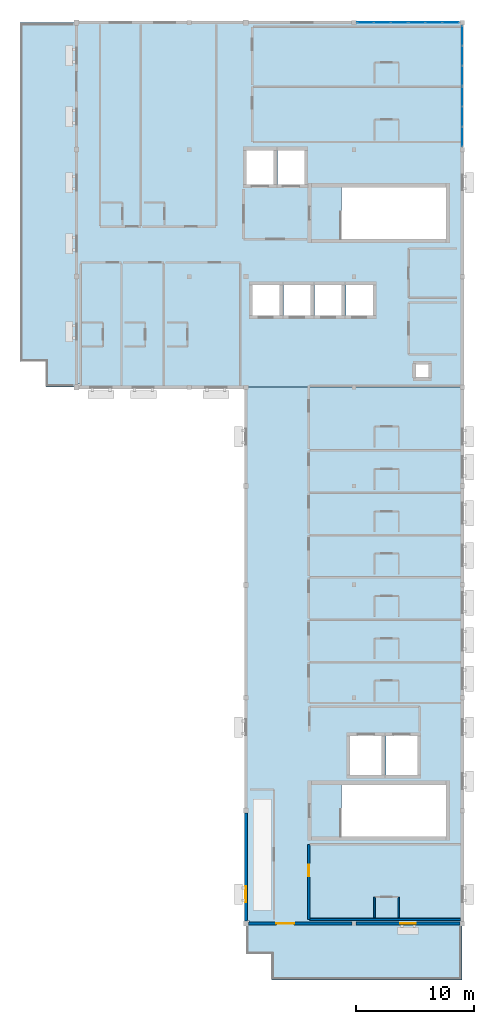
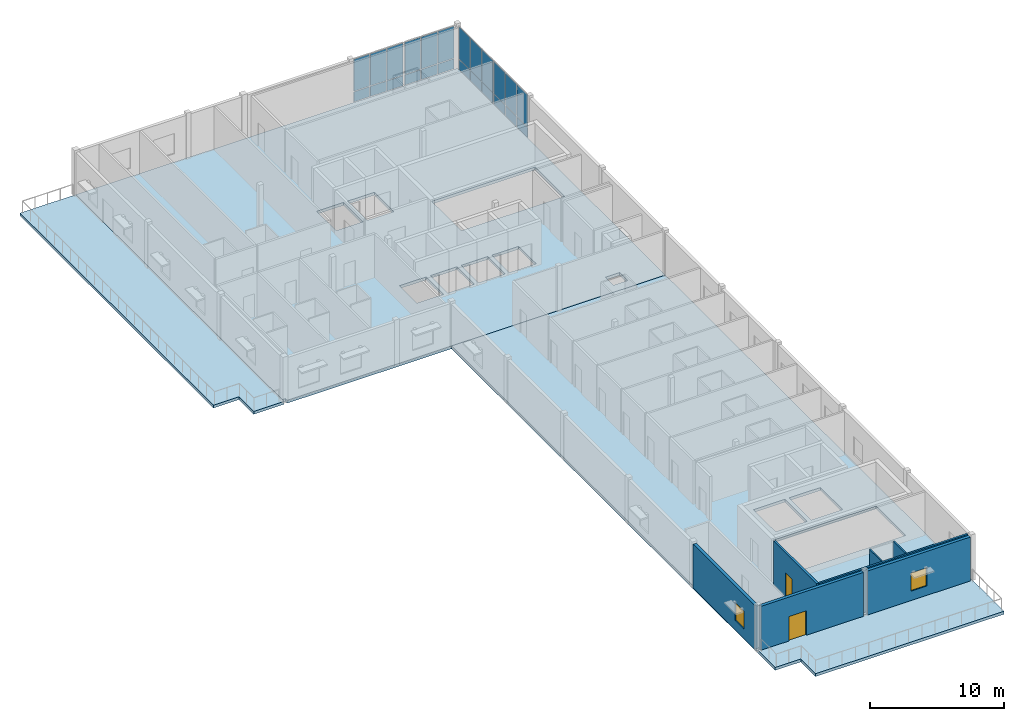
# One storey, part 3 of 9: 24 plates, 7 walls, 4 slabs, 2 doors, 2 windows, 4 openings, 4 elements without a shape of their own.
"""IFC4 building model written with IfcOpenShell, lengths in metres."""

from ifc_helpers import new_model, si_unit, direction, frame, frame_2d, origin, origin_2d, place, context, subcontext, project, spatial, polyline, rectangle, outline, extrude, material, layer, layer_set, type_object, element, fill, aggregate, save


model = new_model("IFC4")

# Units and contexts
model_context = context("Model", 3, precision=1e-05, world=origin(), true_north=direction((0.0, 1.0)))
body_context = subcontext(model_context, "Body", "Model", "MODEL_VIEW")
ifc_project = project(units=[si_unit("LENGTHUNIT", "METRE"), si_unit("AREAUNIT", "SQUARE_METRE"), si_unit("VOLUMEUNIT", "CUBIC_METRE"), si_unit("PLANEANGLEUNIT", "RADIAN"), si_unit("MASSUNIT", "GRAM", prefix="KILO")], contexts=[model_context])

# Site, building, storey
site_placement = place(None, origin())
site = spatial("IfcSite", under=ifc_project, at=site_placement, CompositionType="ELEMENT")
building_placement = place(site_placement, origin())
building = spatial("IfcBuilding", under=site, at=building_placement, Name="Veldera Park Congress Hotel", CompositionType="ELEMENT")
storey_placement = place(building_placement, frame((0.0, 0.0, 46.60009765625)))
storey = spatial("IfcBuildingStorey", under=building, at=storey_placement, Name="L11", CompositionType="ELEMENT", Elevation=46.60009765625)

# Curtain wall, plates
ifc_material_1 = material(Name="Low-E Triple Insulating Glass Unit (SHGC 0.22)", Category="glass")
curtain_wall_type = type_object("IfcCurtainWallType", Name="CW-HTL", PredefinedType="NOTDEFINED", material=ifc_material_1)
curtain_wall_1_placement = place(storey_placement, origin())
curtain_wall_1 = element("IfcCurtainWall", 1, at=curtain_wall_1_placement, inside=storey, type_object=curtain_wall_type, Name="L11 Curtain Wall CW3-HTLNE-L11-130", PredefinedType="NOTDEFINED")
ifc_layer_1 = layer(ifc_material_1, 0.028076171875)
ifc_layer_set_1 = layer_set([ifc_layer_1], Name="Low-E Triple Insulating Glass Unit (SHGC 0.22)")
plate_type = type_object("IfcPlateType", Name="CWP-IGU28", PredefinedType="CURTAIN_PANEL", material=ifc_layer_set_1)
plate_1_placement = place(storey_placement, frame((84.0, 48.308349609375, 0.06005859375), z_axis=(0.0, 0.0, 1.0), x_axis=(0.0, 1.0, 0.0)))
plate_1 = element("IfcPlate", 2, at=plate_1_placement, type_object=plate_type, Name="CW-HTL panel 1.1", PredefinedType="CURTAIN_PANEL", context=body_context, shape_type="SweptSolid", body=[
    extrude(rectangle(XDim=1.626708984375, YDim=0.028076171875, at=origin_2d()), origin(), (0.0, 0.0, 1.0), 0.909912109375),
])
plate_2_placement = place(storey_placement, frame((84.0, 48.308349609375, 1.030029296875), z_axis=(0.0, 0.0, 1.0), x_axis=(0.0, 1.0, 0.0)))
plate_2 = element("IfcPlate", 3, at=plate_2_placement, type_object=plate_type, Name="CW-HTL panel 1.2", PredefinedType="CURTAIN_PANEL", context=body_context, shape_type="SweptSolid", body=[
    extrude(rectangle(XDim=1.626708984375, YDim=0.028076171875, at=origin_2d()), origin(), (0.0, 0.0, 1.0), 2.89990234375),
])
plate_3_placement = place(storey_placement, frame((84.0, 50.010009765625, 0.06005859375), z_axis=(0.0, 0.0, 1.0), x_axis=(0.0, 1.0, 0.0)))
plate_3 = element("IfcPlate", 4, at=plate_3_placement, type_object=plate_type, Name="CW-HTL panel 2.1", PredefinedType="CURTAIN_PANEL", context=body_context, shape_type="SweptSolid", body=[
    extrude(rectangle(XDim=1.65673828125, YDim=0.028076171875, at=origin_2d()), origin(), (0.0, 0.0, 1.0), 0.909912109375),
])
plate_4_placement = place(storey_placement, frame((84.0, 50.010009765625, 1.030029296875), z_axis=(0.0, 0.0, 1.0), x_axis=(0.0, 1.0, 0.0)))
plate_4 = element("IfcPlate", 5, at=plate_4_placement, type_object=plate_type, Name="CW-HTL panel 2.2", PredefinedType="CURTAIN_PANEL", context=body_context, shape_type="SweptSolid", body=[
    extrude(rectangle(XDim=1.65673828125, YDim=0.028076171875, at=origin_2d()), origin(), (0.0, 0.0, 1.0), 2.89990234375),
])
plate_5_placement = place(storey_placement, frame((84.0, 51.711669921875, 0.06005859375), z_axis=(0.0, 0.0, 1.0), x_axis=(0.0, 1.0, 0.0)))
plate_5 = element("IfcPlate", 6, at=plate_5_placement, type_object=plate_type, Name="CW-HTL panel 3.1", PredefinedType="CURTAIN_PANEL", context=body_context, shape_type="SweptSolid", body=[
    extrude(rectangle(XDim=1.626708984375, YDim=0.028076171875, at=origin_2d()), origin(), (0.0, 0.0, 1.0), 0.909912109375),
])
plate_6_placement = place(storey_placement, frame((84.0, 51.711669921875, 1.030029296875), z_axis=(0.0, 0.0, 1.0), x_axis=(0.0, 1.0, 0.0)))
plate_6 = element("IfcPlate", 7, at=plate_6_placement, type_object=plate_type, Name="CW-HTL panel 3.2", PredefinedType="CURTAIN_PANEL", context=body_context, shape_type="SweptSolid", body=[
    extrude(rectangle(XDim=1.626708984375, YDim=0.028076171875, at=origin_2d()), origin(), (0.0, 0.0, 1.0), 2.89990234375),
])
aggregate(curtain_wall_1, [plate_1, plate_2, plate_3, plate_4, plate_5, plate_6])

curtain_wall_2_placement = place(storey_placement, origin())
curtain_wall_2 = element("IfcCurtainWall", 8, at=curtain_wall_2_placement, inside=storey, type_object=curtain_wall_type, Name="L11 Curtain Wall CW3-HTLNE-L11-131", PredefinedType="NOTDEFINED")
plate_7_placement = place(storey_placement, frame((84.0, 53.48828125, 0.06005859375), z_axis=(0.0, 0.0, 1.0), x_axis=(0.0, 1.0, 0.0)))
plate_7 = element("IfcPlate", 9, at=plate_7_placement, type_object=plate_type, Name="CW-HTL panel 1.1", PredefinedType="CURTAIN_PANEL", context=body_context, shape_type="SweptSolid", body=[
    extrude(rectangle(XDim=1.626708984375, YDim=0.028076171875, at=origin_2d()), origin(), (0.0, 0.0, 1.0), 0.909912109375),
])
plate_8_placement = place(storey_placement, frame((84.0, 53.48828125, 1.030029296875), z_axis=(0.0, 0.0, 1.0), x_axis=(0.0, 1.0, 0.0)))
plate_8 = element("IfcPlate", 10, at=plate_8_placement, type_object=plate_type, Name="CW-HTL panel 1.2", PredefinedType="CURTAIN_PANEL", context=body_context, shape_type="SweptSolid", body=[
    extrude(rectangle(XDim=1.626708984375, YDim=0.028076171875, at=origin_2d()), origin(), (0.0, 0.0, 1.0), 2.89990234375),
])
plate_9_placement = place(storey_placement, frame((84.0, 55.18994140625, 0.06005859375), z_axis=(0.0, 0.0, 1.0), x_axis=(0.0, 1.0, 0.0)))
plate_9 = element("IfcPlate", 11, at=plate_9_placement, type_object=plate_type, Name="CW-HTL panel 2.1", PredefinedType="CURTAIN_PANEL", context=body_context, shape_type="SweptSolid", body=[
    extrude(rectangle(XDim=1.65673828125, YDim=0.028076171875, at=origin_2d()), origin(), (0.0, 0.0, 1.0), 0.909912109375),
])
plate_10_placement = place(storey_placement, frame((84.0, 55.18994140625, 1.030029296875), z_axis=(0.0, 0.0, 1.0), x_axis=(0.0, 1.0, 0.0)))
plate_10 = element("IfcPlate", 12, at=plate_10_placement, type_object=plate_type, Name="CW-HTL panel 2.2", PredefinedType="CURTAIN_PANEL", context=body_context, shape_type="SweptSolid", body=[
    extrude(rectangle(XDim=1.65673828125, YDim=0.028076171875, at=origin_2d()), origin(), (0.0, 0.0, 1.0), 2.89990234375),
])
plate_11_placement = place(storey_placement, frame((84.0, 56.8916015625, 0.06005859375), z_axis=(0.0, 0.0, 1.0), x_axis=(0.0, 1.0, 0.0)))
plate_11 = element("IfcPlate", 13, at=plate_11_placement, type_object=plate_type, Name="CW-HTL panel 3.1", PredefinedType="CURTAIN_PANEL", context=body_context, shape_type="SweptSolid", body=[
    extrude(rectangle(XDim=1.626708984375, YDim=0.028076171875, at=origin_2d()), origin(), (0.0, 0.0, 1.0), 0.909912109375),
])
plate_12_placement = place(storey_placement, frame((84.0, 56.8916015625, 1.030029296875), z_axis=(0.0, 0.0, 1.0), x_axis=(0.0, 1.0, 0.0)))
plate_12 = element("IfcPlate", 14, at=plate_12_placement, type_object=plate_type, Name="CW-HTL panel 3.2", PredefinedType="CURTAIN_PANEL", context=body_context, shape_type="SweptSolid", body=[
    extrude(rectangle(XDim=1.626708984375, YDim=0.028076171875, at=origin_2d()), origin(), (0.0, 0.0, 1.0), 2.89990234375),
])
aggregate(curtain_wall_2, [plate_7, plate_8, plate_9, plate_10, plate_11, plate_12])

curtain_wall_3_placement = place(storey_placement, origin())
curtain_wall_3 = element("IfcCurtainWall", 15, at=curtain_wall_3_placement, inside=storey, type_object=curtain_wall_type, Name="L11 Curtain Wall CW3-HTLNN-L11-132", PredefinedType="NOTDEFINED")
plate_13_placement = place(storey_placement, frame((83.02490234375, 58.0, 0.06005859375), z_axis=(0.0, 0.0, 1.0), x_axis=(-1.0, 0.0, 0.0)))
plate_13 = element("IfcPlate", 16, at=plate_13_placement, type_object=plate_type, Name="CW-HTL panel 1.1", PredefinedType="CURTAIN_PANEL", context=body_context, shape_type="SweptSolid", body=[
    extrude(rectangle(XDim=1.360107421875, YDim=0.028076171875, at=origin_2d()), origin(), (0.0, 0.0, 1.0), 0.909912109375),
])
plate_14_placement = place(storey_placement, frame((83.02490234375, 58.0, 1.030029296875), z_axis=(0.0, 0.0, 1.0), x_axis=(-1.0, 0.0, 0.0)))
plate_14 = element("IfcPlate", 17, at=plate_14_placement, type_object=plate_type, Name="CW-HTL panel 1.2", PredefinedType="CURTAIN_PANEL", context=body_context, shape_type="SweptSolid", body=[
    extrude(rectangle(XDim=1.360107421875, YDim=0.028076171875, at=origin_2d()), origin(), (0.0, 0.0, 1.0), 2.89990234375),
])
plate_15_placement = place(storey_placement, frame((81.590087890625, 58.0, 0.06005859375), z_axis=(0.0, 0.0, 1.0), x_axis=(-1.0, 0.0, 0.0)))
plate_15 = element("IfcPlate", 18, at=plate_15_placement, type_object=plate_type, Name="CW-HTL panel 2.1", PredefinedType="CURTAIN_PANEL", context=body_context, shape_type="SweptSolid", body=[
    extrude(rectangle(XDim=1.389892578125, YDim=0.028076171875, at=origin_2d()), origin(), (0.0, 0.0, 1.0), 0.909912109375),
])
plate_16_placement = place(storey_placement, frame((81.590087890625, 58.0, 1.030029296875), z_axis=(0.0, 0.0, 1.0), x_axis=(-1.0, 0.0, 0.0)))
plate_16 = element("IfcPlate", 19, at=plate_16_placement, type_object=plate_type, Name="CW-HTL panel 2.2", PredefinedType="CURTAIN_PANEL", context=body_context, shape_type="SweptSolid", body=[
    extrude(rectangle(XDim=1.389892578125, YDim=0.028076171875, at=origin_2d()), origin(), (0.0, 0.0, 1.0), 2.89990234375),
])
plate_17_placement = place(storey_placement, frame((80.155029296875, 58.0, 0.06005859375), z_axis=(0.0, 0.0, 1.0), x_axis=(-1.0, 0.0, 0.0)))
plate_17 = element("IfcPlate", 20, at=plate_17_placement, type_object=plate_type, Name="CW-HTL panel 3.1", PredefinedType="CURTAIN_PANEL", context=body_context, shape_type="SweptSolid", body=[
    extrude(rectangle(XDim=1.360107421875, YDim=0.028076171875, at=origin_2d()), origin(), (0.0, 0.0, 1.0), 0.909912109375),
])
plate_18_placement = place(storey_placement, frame((80.155029296875, 58.0, 1.030029296875), z_axis=(0.0, 0.0, 1.0), x_axis=(-1.0, 0.0, 0.0)))
plate_18 = element("IfcPlate", 21, at=plate_18_placement, type_object=plate_type, Name="CW-HTL panel 3.2", PredefinedType="CURTAIN_PANEL", context=body_context, shape_type="SweptSolid", body=[
    extrude(rectangle(XDim=1.360107421875, YDim=0.028076171875, at=origin_2d()), origin(), (0.0, 0.0, 1.0), 2.89990234375),
])
aggregate(curtain_wall_3, [plate_13, plate_14, plate_15, plate_16, plate_17, plate_18])

curtain_wall_4_placement = place(storey_placement, origin())
curtain_wall_4 = element("IfcCurtainWall", 22, at=curtain_wall_4_placement, inside=storey, type_object=curtain_wall_type, Name="L11 Curtain Wall CW3-HTLNN-L11-133", PredefinedType="NOTDEFINED")
plate_19_placement = place(storey_placement, frame((78.64501953125, 58.0, 0.06005859375), z_axis=(0.0, 0.0, 1.0), x_axis=(-1.0, 0.0, 0.0)))
plate_19 = element("IfcPlate", 23, at=plate_19_placement, type_object=plate_type, Name="CW-HTL panel 1.1", PredefinedType="CURTAIN_PANEL", context=body_context, shape_type="SweptSolid", body=[
    extrude(rectangle(XDim=1.360107421875, YDim=0.028076171875, at=origin_2d()), origin(), (0.0, 0.0, 1.0), 0.909912109375),
])
plate_20_placement = place(storey_placement, frame((78.64501953125, 58.0, 1.030029296875), z_axis=(0.0, 0.0, 1.0), x_axis=(-1.0, 0.0, 0.0)))
plate_20 = element("IfcPlate", 24, at=plate_20_placement, type_object=plate_type, Name="CW-HTL panel 1.2", PredefinedType="CURTAIN_PANEL", context=body_context, shape_type="SweptSolid", body=[
    extrude(rectangle(XDim=1.360107421875, YDim=0.028076171875, at=origin_2d()), origin(), (0.0, 0.0, 1.0), 2.89990234375),
])
plate_21_placement = place(storey_placement, frame((77.2099609375, 58.0, 0.06005859375), z_axis=(0.0, 0.0, 1.0), x_axis=(-1.0, 0.0, 0.0)))
plate_21 = element("IfcPlate", 25, at=plate_21_placement, type_object=plate_type, Name="CW-HTL panel 2.1", PredefinedType="CURTAIN_PANEL", context=body_context, shape_type="SweptSolid", body=[
    extrude(rectangle(XDim=1.389892578125, YDim=0.028076171875, at=origin_2d()), origin(), (0.0, 0.0, 1.0), 0.909912109375),
])
plate_22_placement = place(storey_placement, frame((77.2099609375, 58.0, 1.030029296875), z_axis=(0.0, 0.0, 1.0), x_axis=(-1.0, 0.0, 0.0)))
plate_22 = element("IfcPlate", 26, at=plate_22_placement, type_object=plate_type, Name="CW-HTL panel 2.2", PredefinedType="CURTAIN_PANEL", context=body_context, shape_type="SweptSolid", body=[
    extrude(rectangle(XDim=1.389892578125, YDim=0.028076171875, at=origin_2d()), origin(), (0.0, 0.0, 1.0), 2.89990234375),
])
plate_23_placement = place(storey_placement, frame((75.77490234375, 58.0, 0.06005859375), z_axis=(0.0, 0.0, 1.0), x_axis=(-1.0, 0.0, 0.0)))
plate_23 = element("IfcPlate", 27, at=plate_23_placement, type_object=plate_type, Name="CW-HTL panel 3.1", PredefinedType="CURTAIN_PANEL", context=body_context, shape_type="SweptSolid", body=[
    extrude(rectangle(XDim=1.360107421875, YDim=0.028076171875, at=origin_2d()), origin(), (0.0, 0.0, 1.0), 0.909912109375),
])
plate_24_placement = place(storey_placement, frame((75.77490234375, 58.0, 1.030029296875), z_axis=(0.0, 0.0, 1.0), x_axis=(-1.0, 0.0, 0.0)))
plate_24 = element("IfcPlate", 28, at=plate_24_placement, type_object=plate_type, Name="CW-HTL panel 3.2", PredefinedType="CURTAIN_PANEL", context=body_context, shape_type="SweptSolid", body=[
    extrude(rectangle(XDim=1.360107421875, YDim=0.028076171875, at=origin_2d()), origin(), (0.0, 0.0, 1.0), 2.89990234375),
])
aggregate(curtain_wall_4, [plate_19, plate_20, plate_21, plate_22, plate_23, plate_24])

# Slabs
ifc_material_2 = material(Name="Concrete f'c 40 MPa (5,800 psi)", Category="concrete")
ifc_layer_2 = layer(ifc_material_2, 0.260009765625)
ifc_layer_set_2 = layer_set([ifc_layer_2], Name="Concrete f'c 40 MPa (5,800 psi)")
slab_type_1 = type_object("IfcSlabType", Name="SLB-RC260", PredefinedType="FLOOR", material=ifc_layer_set_2)
slab_1_placement = place(storey_placement, frame((0.0, 0.0, -0.260009765625)))
element("IfcSlab", 29, at=slab_1_placement, inside=storey, type_object=slab_type_1, Name="L11 Hotel East Wing CLT Floor Deck SLB-L11-V4E", PredefinedType="FLOOR", context=body_context, shape_type="SweptSolid", body=[
    extrude(outline(polyline([(65.60009765625, -18.340087890625), (65.860107421875, -18.340087890625), (65.860107421875, -18.60009765625), (84.0, -18.60009765625), (84.0, 27.0), (65.60009765625, 27.0), (65.60009765625, -18.340087890625)]), holes=[polyline([(73.715087890625, -11.199951171875), (82.60009765625, -11.199951171875), (82.60009765625, -6.800048828125), (73.715087890625, -6.800048828125), (73.715087890625, -11.199951171875)]), polyline([(74.449951171875, -5.949951171875), (77.14990234375, -5.949951171875), (77.14990234375, -2.64990234375), (74.449951171875, -2.64990234375), (74.449951171875, -5.949951171875)]), polyline([(77.5, -5.949951171875), (80.199951171875, -5.949951171875), (80.199951171875, -2.64990234375), (77.5, -2.64990234375), (77.5, -5.949951171875)])]), origin(), (0.0, 0.0, 1.0), 0.260009765625),
])
slab_2_placement = place(storey_placement, frame((0.0, 0.0, -0.260009765625)))
element("IfcSlab", 30, at=slab_2_placement, inside=storey, type_object=slab_type_1, Name="L11 Hotel North Wing CLT Floor Deck SLB-L11-V4N", PredefinedType="FLOOR", context=body_context, shape_type="SweptSolid", body=[
    extrude(outline(polyline([(51.199951171875, 27.260009765625), (51.4599609375, 27.260009765625), (51.4599609375, 27.0), (84.0, 27.0), (84.0, 58.0), (51.199951171875, 58.0), (51.199951171875, 27.260009765625)]), holes=[polyline([(73.715087890625, 39.60009765625), (82.60009765625, 39.60009765625), (82.60009765625, 44.0), (73.715087890625, 44.0), (73.715087890625, 39.60009765625)]), polyline([(65.64990234375, 44.25), (67.949951171875, 44.25), (67.949951171875, 47.14990234375), (65.64990234375, 47.14990234375), (65.64990234375, 44.25)]), polyline([(68.300048828125, 44.25), (70.60009765625, 44.25), (70.60009765625, 47.14990234375), (68.300048828125, 47.14990234375), (68.300048828125, 44.25)]), polyline([(66.14990234375, 33.10009765625), (68.449951171875, 33.10009765625), (68.449951171875, 35.699951171875), (66.14990234375, 35.699951171875), (66.14990234375, 33.10009765625)]), polyline([(68.800048828125, 33.10009765625), (71.10009765625, 33.10009765625), (71.10009765625, 35.699951171875), (68.800048828125, 35.699951171875), (68.800048828125, 33.10009765625)]), polyline([(71.449951171875, 33.10009765625), (73.75, 33.10009765625), (73.75, 35.699951171875), (71.449951171875, 35.699951171875), (71.449951171875, 33.10009765625)]), polyline([(74.10009765625, 33.10009765625), (76.39990234375, 33.10009765625), (76.39990234375, 35.699951171875), (74.10009765625, 35.699951171875), (74.10009765625, 33.10009765625)]), polyline([(80.0, 27.800048828125), (81.199951171875, 27.800048828125), (81.199951171875, 29.0), (80.0, 29.0), (80.0, 27.800048828125)])]), origin(), (0.0, 0.0, 1.0), 0.260009765625),
])
ifc_layer_3 = layer(ifc_material_2, 0.260009765625)
ifc_layer_set_3 = layer_set([ifc_layer_3], Name="Concrete f'c 40 MPa (5,800 psi)")
slab_type_2 = type_object("IfcSlabType", Name="SLB-TER260", PredefinedType="FLOOR", material=ifc_layer_set_3)
slab_3_placement = place(storey_placement, frame((0.0, 0.0, -0.260009765625)))
element("IfcSlab", 31, at=slab_3_placement, inside=storey, type_object=slab_type_2, Name="L11 Stepped Hotel Terrace SLB-TER-L11-S", PredefinedType="FLOOR", context=body_context, shape_type="SweptSolid", body=[
    extrude(outline(polyline([(65.60009765625, -21.199951171875), (67.800048828125, -21.199951171875), (67.800048828125, -23.39990234375), (84.0, -23.39990234375), (84.0, -18.60009765625), (65.60009765625, -18.60009765625), (65.60009765625, -21.199951171875)])), origin(), (0.0, 0.0, 1.0), 0.260009765625),
])
slab_4_placement = place(storey_placement, frame((0.0, 0.0, -0.260009765625)))
element("IfcSlab", 32, at=slab_4_placement, inside=storey, type_object=slab_type_2, Name="L11 Stepped Hotel Terrace SLB-TER-L11-N", PredefinedType="FLOOR", context=body_context, shape_type="SweptSolid", body=[
    extrude(outline(polyline([(46.39990234375, 29.199951171875), (48.60009765625, 29.199951171875), (48.60009765625, 27.0), (51.199951171875, 27.0), (51.199951171875, 58.0), (46.39990234375, 58.0), (46.39990234375, 29.199951171875)])), origin(), (0.0, 0.0, 1.0), 0.260009765625),
])

# Wall, opening, door
ifc_material_3 = material(Name="Cross-laminated timber CLT V2M1.1", Category="wood")
ifc_layer_4 = layer(ifc_material_3, 0.264892578125)
ifc_layer_set_4 = layer_set([ifc_layer_4], Name="Cross-laminated timber CLT V2M1.1")
wall_type_1 = type_object("IfcWallType", Name="EW-CLT265", PredefinedType="STANDARD", material=ifc_layer_set_4)
wall_1_placement = place(storey_placement, frame((65.80810546875, -18.60009765625, 0.0), z_axis=(0.0, 0.0, 1.0), x_axis=(1.0, 0.0, 0.0)))
wall_1 = element("IfcWall", 33, at=wall_1_placement, inside=storey, type_object=wall_type_1, Name="L11 Exterior Wall EW3-L11-0449", PredefinedType="STANDARD", context=body_context, shape_type="SweptSolid", body=[
    extrude(rectangle(XDim=8.81396484375, YDim=0.264892578125, at=frame_2d((4.406982421875, 0.0))), origin(), (0.0, 0.0, 1.0), 3.989990234375),
])
opening_1_placement = place(wall_1_placement, frame((2.39208984375, 0.0, 0.0)))
opening_1 = element("IfcOpeningElement", 34, at=opening_1_placement, cuts=wall_1, Name="Opening ED-TER150", PredefinedType="OPENING", context=body_context, shape_type="SweptSolid", body=[
    extrude(rectangle(XDim=1.5, YDim=2.219970703125, at=frame_2d((0.75, 1.10986328125))), frame((0.0, 0.14453125, 0.0), z_axis=(0.0, -1.0, 0.0), x_axis=(1.0, 0.0, 0.0)), (0.0, 0.0, 1.0), 0.288818359375),
])
ifc_material_4 = material(Name="Anodised Aluminium Alloy 6063-T6", Category="aluminium")
door_type_1 = type_object("IfcDoorType", Name="ED-TER150", OperationType="DOUBLE_DOOR_SINGLE_SWING", PredefinedType="DOOR", material=ifc_material_4)
door_1_placement = place(opening_1_placement, frame((1.5, 0.0, 0.0), z_axis=(0.0, 0.0, 1.0), x_axis=(-1.0, 0.0, 0.0)))
door_1 = element("IfcDoor", 35, at=door_1_placement, inside=storey, type_object=door_type_1, Name="Exterior Door TD-L11-S (DR3-EXT-L11-0030)", OperationType="DOUBLE_DOOR_SINGLE_SWING", OverallHeight=2.219970703125, OverallWidth=1.5, PredefinedType="DOOR", context=body_context, shape_type="SweptSolid", body=[
    extrude(rectangle(XDim=1.5, YDim=2.219970703125, at=frame_2d((0.75, 1.10986328125))), frame((0.0, 0.02490234375, 0.0), z_axis=(0.0, -1.0, 0.0), x_axis=(1.0, 0.0, 0.0)), (0.0, 0.0, 1.0), 0.050048828125),
])
fill(opening_1, door_1)

# Wall, opening, window
wall_2_placement = place(storey_placement, frame((74.97802734375, -18.60009765625, 0.0), z_axis=(0.0, 0.0, 1.0), x_axis=(1.0, 0.0, 0.0)))
wall_2 = element("IfcWall", 36, at=wall_2_placement, inside=storey, type_object=wall_type_1, Name="L11 Exterior Wall EW3-L11-0450", PredefinedType="STANDARD", context=body_context, shape_type="SweptSolid", body=[
    extrude(rectangle(XDim=8.828857421875, YDim=0.264892578125, at=frame_2d((4.41455078125, 0.0))), origin(), (0.0, 0.0, 1.0), 3.989990234375),
])
opening_2_placement = place(wall_2_placement, frame((3.739501953125, 0.0, 0.85009765625)))
opening_2 = element("IfcOpeningElement", 37, at=opening_2_placement, cuts=wall_2, Name="Opening WIN-1350", PredefinedType="OPENING", context=body_context, shape_type="SweptSolid", body=[
    extrude(rectangle(XDim=1.35009765625, YDim=1.64990234375, at=frame_2d((0.675048828125, 0.824951171875))), frame((0.0, 0.14453125, 0.0), z_axis=(0.0, -1.0, 0.0), x_axis=(1.0, 0.0, 0.0)), (0.0, 0.0, 1.0), 0.288818359375),
])
window_type = type_object("IfcWindowType", Name="WIN-1350", PartitioningType="SINGLE_PANEL", PredefinedType="WINDOW", material=ifc_material_1)
window_1_placement = place(opening_2_placement, origin())
window_1 = element("IfcWindow", 38, at=window_1_placement, inside=storey, type_object=window_type, Name="L11 Window WIN-1350 343", OverallHeight=1.64990234375, OverallWidth=1.35009765625, PartitioningType="SINGLE_PANEL", PredefinedType="WINDOW", context=body_context, shape_type="SweptSolid", body=[
    extrude(rectangle(XDim=1.35009765625, YDim=1.64990234375, at=frame_2d((0.675048828125, 0.824951171875))), frame((0.0, 0.030029296875, 0.0), z_axis=(0.0, -1.0, 0.0), x_axis=(1.0, 0.0, 0.0)), (0.0, 0.0, 1.0), 0.06005859375),
])
fill(opening_2, window_1)

wall_3_placement = place(storey_placement, frame((65.60009765625, -9.2080078125, 0.0), z_axis=(0.0, 0.0, 1.0), x_axis=(0.0, -1.0, 0.0)))
wall_3 = element("IfcWall", 39, at=wall_3_placement, inside=storey, type_object=wall_type_1, Name="L11 Exterior Wall EW3-L11-0470", PredefinedType="STANDARD", context=body_context, shape_type="SweptSolid", body=[
    extrude(rectangle(XDim=9.18408203125, YDim=0.264892578125, at=frame_2d((4.592041015625, 0.0))), origin(), (0.0, 0.0, 1.0), 3.989990234375),
])
opening_3_placement = place(wall_3_placement, frame((6.212890625, 0.0, 0.85009765625)))
opening_3 = element("IfcOpeningElement", 40, at=opening_3_placement, cuts=wall_3, Name="Opening WIN-1350", PredefinedType="OPENING", context=body_context, shape_type="SweptSolid", body=[
    extrude(rectangle(XDim=1.35009765625, YDim=1.64990234375, at=frame_2d((0.675048828125, 0.824951171875))), frame((0.0, 0.14453125, 0.0), z_axis=(0.0, -1.0, 0.0), x_axis=(1.0, 0.0, 0.0)), (0.0, 0.0, 1.0), 0.288818359375),
])
window_2_placement = place(opening_3_placement, origin())
window_2 = element("IfcWindow", 41, at=window_2_placement, inside=storey, type_object=window_type, Name="L11 Window WIN-1350 356", OverallHeight=1.64990234375, OverallWidth=1.35009765625, PartitioningType="SINGLE_PANEL", PredefinedType="WINDOW", context=body_context, shape_type="SweptSolid", body=[
    extrude(rectangle(XDim=1.35009765625, YDim=1.64990234375, at=frame_2d((0.675048828125, 0.824951171875))), frame((0.0, 0.030029296875, 0.0), z_axis=(0.0, -1.0, 0.0), x_axis=(1.0, 0.0, 0.0)), (0.0, 0.0, 1.0), 0.06005859375),
])
fill(opening_3, window_2)

# Walls
ifc_material_5 = material(Name="Fire-Rated Gypsum Board on Cold-Formed Steel Studs", Category="steel")
ifc_layer_5 = layer(ifc_material_5, 0.1201171875)
ifc_layer_set_5 = layer_set([ifc_layer_5], Name="Fire-Rated Gypsum Board on Cold-Formed Steel Studs")
wall_type_2 = type_object("IfcWallType", Name="IW-BATH120", PredefinedType="PARTITIONING", material=ifc_layer_set_5)
for number, where, z_axis, x_axis, name in (
    (42, (76.550048828125, -18.10009765625, 0.0), (0.0, 0.0, 1.0), (0.0, 1.0, 0.0), "L11 Partition Wall IW3-L11-01797"),
    (43, (78.60009765625, -18.10009765625, 0.0), (0.0, 0.0, 1.0), (0.0, 1.0, 0.0), "L11 Partition Wall IW3-L11-01798"),
):
    element("IfcWall", number, at=place(storey_placement, frame(where, z_axis=z_axis, x_axis=x_axis)), inside=storey, type_object=wall_type_2, Name=name, PredefinedType="PARTITIONING", context=body_context, shape_type="SweptSolid", body=[
        extrude(rectangle(XDim=1.75, YDim=0.1201171875, at=frame_2d((0.875, 0.0))), origin(), (0.0, 0.0, 1.0), 3.989990234375),
    ])

# Wall, opening, door
ifc_layer_6 = layer(ifc_material_5, 0.179931640625)
ifc_layer_set_6 = layer_set([ifc_layer_6], Name="Fire-Rated Gypsum Board on Cold-Formed Steel Studs")
wall_type_3 = type_object("IfcWallType", Name="IW-CORR180", PredefinedType="PARTITIONING", material=ifc_layer_set_6)
wall_4_placement = place(storey_placement, frame((70.949951171875, -11.8701171875, 0.0), z_axis=(0.0, 0.0, 1.0), x_axis=(0.0, -1.0, 0.0)))
wall_4 = element("IfcWall", 44, at=wall_4_placement, inside=storey, type_object=wall_type_3, Name="L11 Corridor Wall IW3-L11-01794", PredefinedType="PARTITIONING", context=body_context, shape_type="SweptSolid", body=[
    extrude(rectangle(XDim=6.3798828125, YDim=0.179931640625, at=frame_2d((3.18994140625, 0.0))), origin(), (0.0, 0.0, 1.0), 3.989990234375),
])
opening_4_placement = place(wall_4_placement, frame((1.719970703125, 0.0, 0.0)))
opening_4 = element("IfcOpeningElement", 45, at=opening_4_placement, cuts=wall_4, Name="Opening ID-UNIT098", PredefinedType="OPENING", context=body_context, shape_type="SweptSolid", body=[
    extrude(rectangle(XDim=0.97998046875, YDim=2.179931640625, at=frame_2d((0.489990234375, 1.08984375))), frame((0.0, 0.10205078125, 0.0), z_axis=(0.0, -1.0, 0.0), x_axis=(1.0, 0.0, 0.0)), (0.0, 0.0, 1.0), 0.203857421875),
])
ifc_material_6 = material(Name="Solid Core White Oak Architectural Door", Category="wood")
door_type_2 = type_object("IfcDoorType", Name="ID-UNIT098", OperationType="NOTDEFINED", PredefinedType="DOOR", material=ifc_material_6)
door_2_placement = place(opening_4_placement, origin())
door_2 = element("IfcDoor", 46, at=door_2_placement, inside=storey, type_object=door_type_2, Name="L11 Guestroom 299 Entry Door (DR3-UD3-L11-299)", OperationType="SINGLE_SWING_RIGHT", OverallHeight=2.179931640625, OverallWidth=0.97998046875, PredefinedType="DOOR", context=body_context, shape_type="SweptSolid", body=[
    extrude(rectangle(XDim=0.97998046875, YDim=2.179931640625, at=frame_2d((0.489990234375, 1.08984375))), frame((0.0, 0.02490234375, 0.0), z_axis=(0.0, -1.0, 0.0), x_axis=(1.0, 0.0, 0.0)), (0.0, 0.0, 1.0), 0.050048828125),
])
fill(opening_4, door_2)

# Wall
ifc_layer_7 = layer(ifc_material_3, 0.159912109375)
ifc_layer_set_7 = layer_set([ifc_layer_7], Name="Cross-laminated timber CLT V2M1.1")
wall_type_4 = type_object("IfcWallType", Name="IW-UNIT160", PredefinedType="PARTITIONING", material=ifc_layer_set_7)
wall_5_placement = place(storey_placement, frame((71.050048828125, -18.25, 0.0), z_axis=(0.0, 0.0, 1.0), x_axis=(1.0, 0.0, 0.0)))
element("IfcWall", 47, at=wall_5_placement, inside=storey, type_object=wall_type_4, Name="L11 Partition Wall IW3-L11-01795", PredefinedType="PARTITIONING", context=body_context, shape_type="SweptSolid", body=[
    extrude(rectangle(XDim=12.7900390625, YDim=0.159912109375, at=frame_2d((6.39501953125, 0.0))), origin(), (0.0, 0.0, 1.0), 3.989990234375),
])

save(model, "model.ifc")
